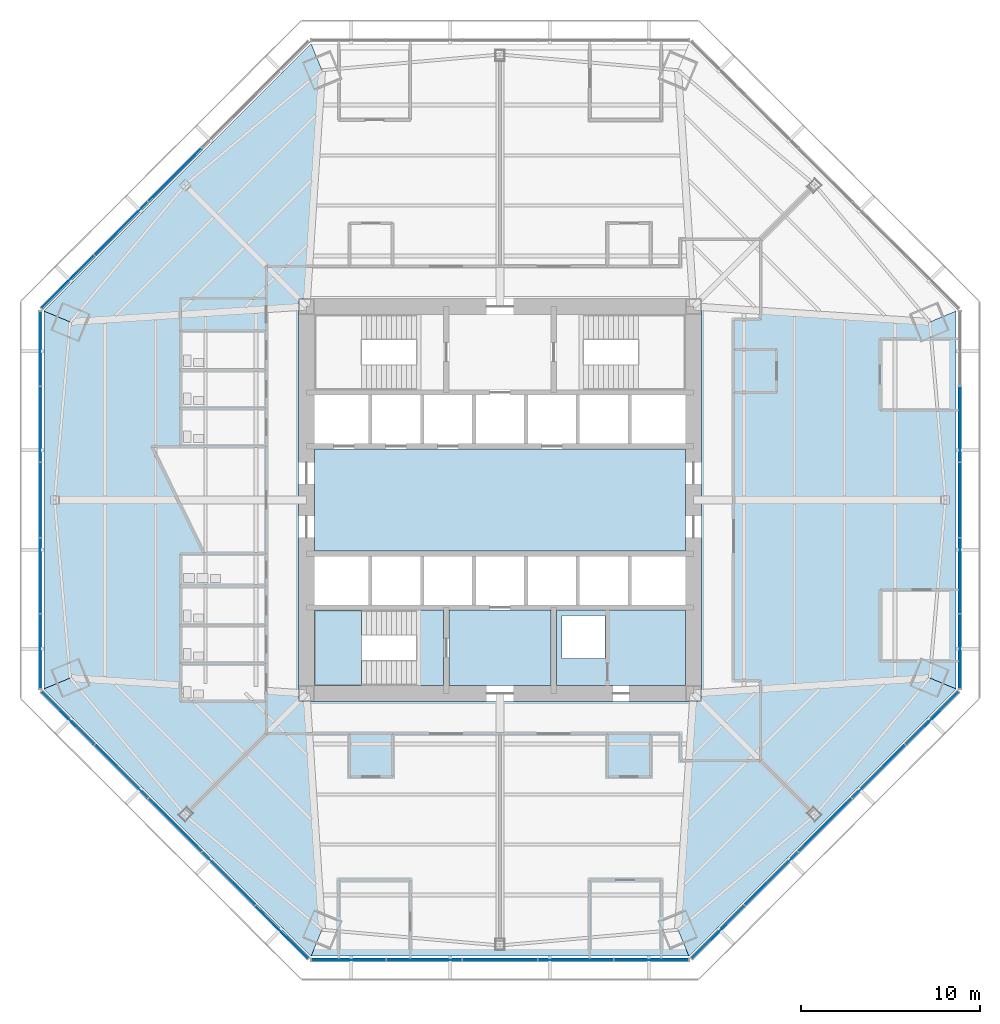
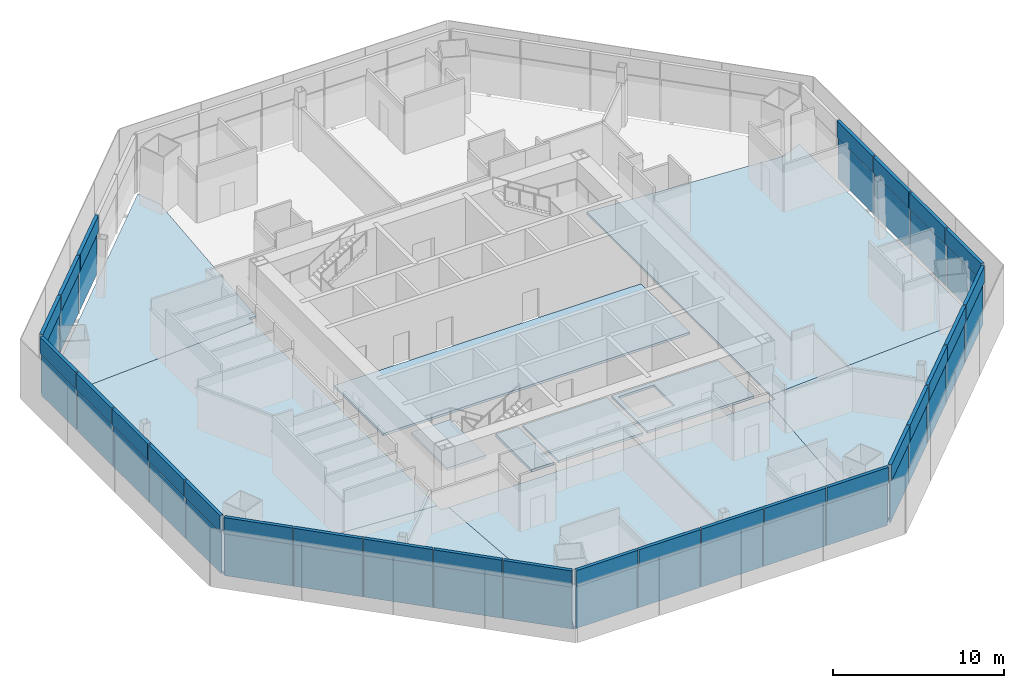
# One storey, part 9 of 18: 54 plates, 11 slabs, 7 elements without a shape of their own.
"""IFC4 building model written with IfcOpenShell, lengths in metres."""

from ifc_helpers import new_model, si_unit, direction, frame, origin, origin_2d, place, context, subcontext, project, spatial, polyline, rectangle, outline, extrude, source, transform, mapped, material, layer, layer_set, type_object, type_shapes, element, aggregate, save


model = new_model("IFC4")

# Units and contexts
model_context = context("Model", 3, precision=1e-05, world=origin(), true_north=direction((0.0, 1.0)))
body_context = subcontext(model_context, "Body", "Model", "MODEL_VIEW")
ifc_project = project(units=[si_unit("LENGTHUNIT", "METRE"), si_unit("AREAUNIT", "SQUARE_METRE"), si_unit("VOLUMEUNIT", "CUBIC_METRE"), si_unit("PLANEANGLEUNIT", "RADIAN"), si_unit("MASSUNIT", "GRAM", prefix="KILO")], contexts=[model_context])

# Site, building, storey
site_placement = place(None, origin())
site = spatial("IfcSite", under=ifc_project, at=site_placement, CompositionType="ELEMENT")
building_placement = place(site_placement, origin())
building = spatial("IfcBuilding", under=site, at=building_placement, Name="Mashrafa Tower", CompositionType="ELEMENT")
storey_placement = place(building_placement, frame((0.0, 0.0, 83.39990234375)))
storey = spatial("IfcBuildingStorey", under=building, at=storey_placement, Name="L18", CompositionType="ELEMENT", Elevation=83.39990234375)

# Slabs
ifc_material_1 = material(Name="Concrete C35/45", Category="concrete")
ifc_layer_1 = layer(ifc_material_1, 0.1650390625)
ifc_layer_set_1 = layer_set([ifc_layer_1], Name="Floor slab 165")
slab_type_1 = type_object("IfcSlabType", Name="Floor slab 165", PredefinedType="FLOOR", material=ifc_layer_set_1)
slab_1_placement = place(storey_placement, frame((0.0, 0.0, -0.164794921875)))
element("IfcSlab", 1, at=slab_1_placement, inside=storey, type_object=slab_type_1, Name="Floor slab L18 east bay", PredefinedType="FLOOR", context=body_context, shape_type="SweptSolid", body=[
    extrude(outline(polyline([(25.45556640625, -10.5439453125), (23.98193359375, -9.93359375), (11.25, -10.7705078125), (11.25, 10.7705078125), (23.98193359375, 9.93359375), (25.45556640625, 10.5439453125), (25.45556640625, -10.5439453125)])), origin(), (0.0, 0.0, 1.0), 0.164794921875),
])
slab_2_placement = place(storey_placement, frame((0.0, 0.0, -0.164794921875)))
element("IfcSlab", 2, at=slab_2_placement, inside=storey, type_object=slab_type_1, Name="Floor slab L18 north-west bay", PredefinedType="FLOOR", context=body_context, shape_type="SweptSolid", body=[
    extrude(outline(polyline([(-25.45556640625, 10.5439453125), (-10.5439453125, 25.45556640625), (-10.5439453125, 25.45556640625), (-9.93359375, 23.98193359375), (-10.7705078125, 11.25), (-11.25, 11.25), (-11.25, 10.7705078125), (-23.98193359375, 9.93359375), (-25.45556640625, 10.5439453125), (-25.45556640625, 10.5439453125)])), origin(), (0.0, 0.0, 1.0), 0.164794921875),
])
slab_3_placement = place(storey_placement, frame((0.0, 0.0, -0.164794921875)))
element("IfcSlab", 3, at=slab_3_placement, inside=storey, type_object=slab_type_1, Name="Floor slab L18 west bay", PredefinedType="FLOOR", context=body_context, shape_type="SweptSolid", body=[
    extrude(outline(polyline([(-25.45556640625, 10.5439453125), (-23.98193359375, 9.93359375), (-11.25, 10.7705078125), (-11.25, -10.7705078125), (-23.98193359375, -9.93359375), (-25.45556640625, -10.5439453125), (-25.45556640625, 10.5439453125)])), origin(), (0.0, 0.0, 1.0), 0.164794921875),
])
slab_4_placement = place(storey_placement, frame((0.0, 0.0, -0.164794921875)))
element("IfcSlab", 4, at=slab_4_placement, inside=storey, type_object=slab_type_1, Name="Floor slab L18 south-west bay", PredefinedType="FLOOR", context=body_context, shape_type="SweptSolid", body=[
    extrude(outline(polyline([(-10.5439453125, -25.45556640625), (-25.45556640625, -10.5439453125), (-25.45556640625, -10.5439453125), (-23.98193359375, -9.93359375), (-11.25, -10.7705078125), (-11.25, -11.25), (-10.7705078125, -11.25), (-9.93359375, -23.98193359375), (-10.5439453125, -25.45556640625), (-10.5439453125, -25.45556640625)])), origin(), (0.0, 0.0, 1.0), 0.164794921875),
])
slab_5_placement = place(storey_placement, frame((0.0, 0.0, -0.164794921875)))
element("IfcSlab", 5, at=slab_5_placement, inside=storey, type_object=slab_type_1, Name="Floor slab L18 south bay", PredefinedType="FLOOR", context=body_context, shape_type="SweptSolid", body=[
    extrude(outline(polyline([(-10.5439453125, -25.45556640625), (-9.93359375, -23.98193359375), (-10.7705078125, -11.25), (10.7705078125, -11.25), (9.93359375, -23.98193359375), (10.5439453125, -25.45556640625), (-10.5439453125, -25.45556640625)])), origin(), (0.0, 0.0, 1.0), 0.164794921875),
])
slab_6_placement = place(storey_placement, frame((0.0, 0.0, -0.164794921875)))
element("IfcSlab", 6, at=slab_6_placement, inside=storey, type_object=slab_type_1, Name="Floor slab L18 south-east bay", PredefinedType="FLOOR", context=body_context, shape_type="SweptSolid", body=[
    extrude(outline(polyline([(10.5439453125, -25.45556640625), (9.93359375, -23.98193359375), (10.7705078125, -11.25), (11.25, -11.25), (11.25, -10.7705078125), (23.98193359375, -9.93359375), (25.45556640625, -10.5439453125), (25.45556640625, -10.5439453125), (10.5439453125, -25.45556640625), (10.5439453125, -25.45556640625)])), origin(), (0.0, 0.0, 1.0), 0.164794921875),
])
slab_7_placement = place(storey_placement, frame((0.0, 0.0, -0.164794921875)))
element("IfcSlab", 7, at=slab_7_placement, inside=storey, type_object=slab_type_1, Name="Core floor lift hall L18", PredefinedType="FLOOR", context=body_context, shape_type="SweptSolid", body=[
    extrude(outline(polyline([(-10.35009765625, 2.85009765625), (10.35009765625, 2.85009765625), (10.35009765625, -2.85009765625), (-10.35009765625, -2.85009765625), (-10.35009765625, 2.85009765625)])), origin(), (0.0, 0.0, 1.0), 0.164794921875),
])
slab_8_placement = place(storey_placement, frame((0.0, 0.0, -0.164794921875)))
element("IfcSlab", 8, at=slab_8_placement, inside=storey, type_object=slab_type_1, Name="Core floor riser and electrical band L18", PredefinedType="FLOOR", context=body_context, shape_type="SweptSolid", body=[
    extrude(outline(polyline([(10.35009765625, -6.14990234375), (10.35009765625, -10.35009765625), (3.14990234375, -10.35009765625), (3.14990234375, -6.14990234375), (10.35009765625, -6.14990234375)]), holes=[polyline([(3.449951171875, -8.85009765625), (5.85009765625, -8.85009765625), (5.85009765625, -6.449951171875), (3.449951171875, -6.449951171875), (3.449951171875, -8.85009765625)])]), origin(), (0.0, 0.0, 1.0), 0.164794921875),
])
slab_9_placement = place(storey_placement, frame((0.0, 0.0, -0.164794921875)))
element("IfcSlab", 9, at=slab_9_placement, inside=storey, type_object=slab_type_1, Name="Core floor fire-fighting lobby south L18", PredefinedType="FLOOR", context=body_context, shape_type="SweptSolid", body=[
    extrude(outline(polyline([(2.85009765625, -6.14990234375), (2.85009765625, -10.35009765625), (-2.85009765625, -10.35009765625), (-2.85009765625, -6.14990234375), (2.85009765625, -6.14990234375)])), origin(), (0.0, 0.0, 1.0), 0.164794921875),
])

# Stair, slabs
ifc_material_2 = material(Name="Exit stair 1400")
stair_type = type_object("IfcStairType", Name="Exit stair 1400", PredefinedType="HALF_TURN_STAIR", material=ifc_material_2)
stair_placement = place(storey_placement, origin())
stair = element("IfcStair", 10, at=stair_placement, inside=storey, type_object=stair_type, Name="Stair S3 L18", PredefinedType="HALF_TURN_STAIR")
ifc_material_3 = material(Name="Concrete C32/40", Category="concrete")
ifc_layer_2 = layer(ifc_material_3, 0.199951171875)
ifc_layer_set_2 = layer_set([ifc_layer_2], Name="Stair landing 200")
slab_type_2 = type_object("IfcSlabType", Name="Stair landing 200", PredefinedType="LANDING", material=ifc_layer_set_2)
slab_10_placement = place(storey_placement, frame((0.0, 0.0, -0.199951171875)))
slab_10 = element("IfcSlab", 11, at=slab_10_placement, type_object=slab_type_2, Name="S3 landing 1", PredefinedType="LANDING", context=body_context, shape_type="SweptSolid", body=[
    extrude(outline(polyline([(-4.659912109375, -10.35009765625), (-3.14990234375, -10.35009765625), (-3.14990234375, -6.14990234375), (-4.659912109375, -6.14990234375), (-4.659912109375, -10.35009765625)])), origin(), (0.0, 0.0, 1.0), 0.199951171875),
])
slab_11_placement = place(storey_placement, frame((0.0, 0.0, 1.900146484375)))
slab_11 = element("IfcSlab", 12, at=slab_11_placement, type_object=slab_type_2, Name="S3 landing 2", PredefinedType="LANDING", context=body_context, shape_type="SweptSolid", body=[
    extrude(outline(polyline([(-10.35009765625, -10.35009765625), (-7.719970703125, -10.35009765625), (-7.719970703125, -6.14990234375), (-10.35009765625, -6.14990234375), (-10.35009765625, -10.35009765625)])), origin(), (0.0, 0.0, 1.0), 0.199951171875),
])
aggregate(stair, [slab_10, slab_11])

# Curtain wall, plate
ifc_material_4 = material(Name="Unitised aluminium curtain wall", Category="aluminium")
curtain_wall_type = type_object("IfcCurtainWallType", Name="Office curtain wall, zone 1 CW-A 200 deep", PredefinedType="NOTDEFINED", material=ifc_material_4)
curtain_wall_1_placement = place(storey_placement, origin())
curtain_wall_1 = element("IfcCurtainWall", 13, at=curtain_wall_1_placement, inside=storey, type_object=curtain_wall_type, Name="Office curtain wall, zone 1 L18 east", PredefinedType="NOTDEFINED")
ifc_material_5 = material(Name="Insulated double glazing, low-e, neutral", Category="glass")
ifc_layer_3 = layer(ifc_material_5, 0.028076171875)
ifc_layer_set_3 = layer_set([ifc_layer_3], Name="Vision panel CW-A 28")
plate_type_1 = type_object("IfcPlateType", Name="Vision panel CW-A 28", PredefinedType="CURTAIN_PANEL", material=ifc_layer_set_3)
shared_shape_1 = source(origin(), body_context, "Body", "SweptSolid", [
    extrude(rectangle(XDim=4.132568359375, YDim=0.028076171875, at=origin_2d()), origin(), (0.0, 0.0, 1.0), 2.9599609375),
])
plate_1_placement = place(storey_placement, frame((25.655517578125, -8.444091796875, 0.0), z_axis=(0.0, 0.0, 1.0), x_axis=(0.0, 1.0, 0.0)))
plate_1 = element("IfcPlate", 14, at=plate_1_placement, type_object=plate_type_1, Name="CW-A vision panel 1", PredefinedType="CURTAIN_PANEL", context=body_context, shape_type="MappedRepresentation", body=[
    mapped(shared_shape_1, transform((0.0, 0.0, 0.0))),
])

curtain_wall_2_placement = place(storey_placement, origin())
curtain_wall_2 = element("IfcCurtainWall", 15, at=curtain_wall_2_placement, inside=storey, type_object=curtain_wall_type, Name="Office curtain wall, zone 1 L18 north-west", PredefinedType="NOTDEFINED")
plate_2_placement = place(storey_placement, frame((-24.112060546875, 12.170166015625, 0.0), z_axis=(0.0, 0.0, 1.0), x_axis=(-0.707106781187, -0.707106781187, 0.0)))
plate_2 = element("IfcPlate", 16, at=plate_2_placement, type_object=plate_type_1, Name="CW-A vision panel 5", PredefinedType="CURTAIN_PANEL", context=body_context, shape_type="MappedRepresentation", body=[
    mapped(shared_shape_1, transform((0.0, 0.0, 0.0))),
])

# Curtain wall, plates
curtain_wall_3_placement = place(storey_placement, origin())
curtain_wall_3 = element("IfcCurtainWall", 17, at=curtain_wall_3_placement, inside=storey, type_object=curtain_wall_type, Name="Office curtain wall, zone 1 L18 west", PredefinedType="NOTDEFINED")
plate_3_placement = place(storey_placement, frame((-25.655517578125, 8.444091796875, 0.0), z_axis=(0.0, 0.0, 1.0), x_axis=(0.0, -1.0, 0.0)))
plate_3 = element("IfcPlate", 18, at=plate_3_placement, type_object=plate_type_1, Name="CW-A vision panel 1", PredefinedType="CURTAIN_PANEL", context=body_context, shape_type="MappedRepresentation", body=[
    mapped(shared_shape_1, transform((0.0, 0.0, 0.0))),
])
plate_4_placement = place(storey_placement, frame((-25.655517578125, -8.444091796875, 0.0), z_axis=(0.0, 0.0, 1.0), x_axis=(0.0, -1.0, 0.0)))
plate_4 = element("IfcPlate", 19, at=plate_4_placement, type_object=plate_type_1, Name="CW-A vision panel 5", PredefinedType="CURTAIN_PANEL", context=body_context, shape_type="MappedRepresentation", body=[
    mapped(shared_shape_1, transform((0.0, 0.0, 0.0))),
])

curtain_wall_4_placement = place(storey_placement, origin())
curtain_wall_4 = element("IfcCurtainWall", 20, at=curtain_wall_4_placement, inside=storey, type_object=curtain_wall_type, Name="Office curtain wall, zone 1 L18 south-west", PredefinedType="NOTDEFINED")
plate_5_placement = place(storey_placement, frame((-24.112060546875, -12.170166015625, 0.0), z_axis=(0.0, 0.0, 1.0), x_axis=(0.707106781187, -0.707106781187, 0.0)))
plate_5 = element("IfcPlate", 21, at=plate_5_placement, type_object=plate_type_1, Name="CW-A vision panel 1", PredefinedType="CURTAIN_PANEL", context=body_context, shape_type="MappedRepresentation", body=[
    mapped(shared_shape_1, transform((0.0, 0.0, 0.0))),
])
plate_6_placement = place(storey_placement, frame((-12.170166015625, -24.112060546875, 0.0), z_axis=(0.0, 0.0, 1.0), x_axis=(0.707106781187, -0.707106781187, 0.0)))
plate_6 = element("IfcPlate", 22, at=plate_6_placement, type_object=plate_type_1, Name="CW-A vision panel 5", PredefinedType="CURTAIN_PANEL", context=body_context, shape_type="MappedRepresentation", body=[
    mapped(shared_shape_1, transform((0.0, 0.0, 0.0))),
])

curtain_wall_5_placement = place(storey_placement, origin())
curtain_wall_5 = element("IfcCurtainWall", 23, at=curtain_wall_5_placement, inside=storey, type_object=curtain_wall_type, Name="Office curtain wall, zone 1 L18 south", PredefinedType="NOTDEFINED")
plate_7_placement = place(storey_placement, frame((-8.444091796875, -25.655517578125, 0.0), z_axis=(0.0, 0.0, 1.0), x_axis=(1.0, 0.0, 0.0)))
plate_7 = element("IfcPlate", 24, at=plate_7_placement, type_object=plate_type_1, Name="CW-A vision panel 1", PredefinedType="CURTAIN_PANEL", context=body_context, shape_type="MappedRepresentation", body=[
    mapped(shared_shape_1, transform((0.0, 0.0, 0.0))),
])
plate_8_placement = place(storey_placement, frame((8.444091796875, -25.655517578125, 0.0), z_axis=(0.0, 0.0, 1.0), x_axis=(1.0, 0.0, 0.0)))
plate_8 = element("IfcPlate", 25, at=plate_8_placement, type_object=plate_type_1, Name="CW-A vision panel 5", PredefinedType="CURTAIN_PANEL", context=body_context, shape_type="MappedRepresentation", body=[
    mapped(shared_shape_1, transform((0.0, 0.0, 0.0))),
])

curtain_wall_6_placement = place(storey_placement, origin())
curtain_wall_6 = element("IfcCurtainWall", 26, at=curtain_wall_6_placement, inside=storey, type_object=curtain_wall_type, Name="Office curtain wall, zone 1 L18 south-east", PredefinedType="NOTDEFINED")
plate_9_placement = place(storey_placement, frame((12.170166015625, -24.112060546875, 0.0), z_axis=(0.0, 0.0, 1.0), x_axis=(0.707106781187, 0.707106781187, 0.0)))
plate_9 = element("IfcPlate", 27, at=plate_9_placement, type_object=plate_type_1, Name="CW-A vision panel 1", PredefinedType="CURTAIN_PANEL", context=body_context, shape_type="MappedRepresentation", body=[
    mapped(shared_shape_1, transform((0.0, 0.0, 0.0))),
])
plate_10_placement = place(storey_placement, frame((24.112060546875, -12.170166015625, 0.0), z_axis=(0.0, 0.0, 1.0), x_axis=(0.707106781187, 0.707106781187, 0.0)))
plate_10 = element("IfcPlate", 28, at=plate_10_placement, type_object=plate_type_1, Name="CW-A vision panel 5", PredefinedType="CURTAIN_PANEL", context=body_context, shape_type="MappedRepresentation", body=[
    mapped(shared_shape_1, transform((0.0, 0.0, 0.0))),
])

# Plate
ifc_material_6 = material(Name="Insulated aluminium spandrel panel", Category="aluminium")
ifc_layer_4 = layer(ifc_material_6, 0.219970703125)
ifc_layer_set_4 = layer_set([ifc_layer_4], Name="Spandrel panel CW-A 220")
plate_type_2 = type_object("IfcPlateType", Name="Spandrel panel CW-A 220", PredefinedType="CURTAIN_PANEL", material=ifc_layer_set_4)
shared_shape_2 = source(origin(), body_context, "Body", "SweptSolid", [
    extrude(rectangle(XDim=4.132568359375, YDim=0.219970703125, at=origin_2d()), origin(), (0.0, 0.0, 1.0), 1.159912109375),
])
plate_11_placement = place(storey_placement, frame((25.655517578125, -8.444091796875, 3.0400390625), z_axis=(0.0, 0.0, 1.0), x_axis=(0.0, 1.0, 0.0)))
plate_11 = element("IfcPlate", 29, at=plate_11_placement, type_object=plate_type_2, Name="CW-A spandrel panel 1", PredefinedType="CURTAIN_PANEL", context=body_context, shape_type="MappedRepresentation", body=[
    mapped(shared_shape_2, transform((0.0, 0.0, 0.0))),
])

plate_12_placement = place(storey_placement, frame((-24.112060546875, 12.170166015625, 3.0400390625), z_axis=(0.0, 0.0, 1.0), x_axis=(-0.707106781187, -0.707106781187, 0.0)))
plate_12 = element("IfcPlate", 30, at=plate_12_placement, type_object=plate_type_2, Name="CW-A spandrel panel 5", PredefinedType="CURTAIN_PANEL", context=body_context, shape_type="MappedRepresentation", body=[
    mapped(shared_shape_2, transform((0.0, 0.0, 0.0))),
])

plate_13_placement = place(storey_placement, frame((-25.655517578125, 8.444091796875, 3.0400390625), z_axis=(0.0, 0.0, 1.0), x_axis=(0.0, -1.0, 0.0)))
plate_13 = element("IfcPlate", 31, at=plate_13_placement, type_object=plate_type_2, Name="CW-A spandrel panel 1", PredefinedType="CURTAIN_PANEL", context=body_context, shape_type="MappedRepresentation", body=[
    mapped(shared_shape_2, transform((0.0, 0.0, 0.0))),
])

plate_14_placement = place(storey_placement, frame((-25.655517578125, -8.444091796875, 3.0400390625), z_axis=(0.0, 0.0, 1.0), x_axis=(0.0, -1.0, 0.0)))
plate_14 = element("IfcPlate", 32, at=plate_14_placement, type_object=plate_type_2, Name="CW-A spandrel panel 5", PredefinedType="CURTAIN_PANEL", context=body_context, shape_type="MappedRepresentation", body=[
    mapped(shared_shape_2, transform((0.0, 0.0, 0.0))),
])

plate_15_placement = place(storey_placement, frame((-24.112060546875, -12.170166015625, 3.0400390625), z_axis=(0.0, 0.0, 1.0), x_axis=(0.707106781187, -0.707106781187, 0.0)))
plate_15 = element("IfcPlate", 33, at=plate_15_placement, type_object=plate_type_2, Name="CW-A spandrel panel 1", PredefinedType="CURTAIN_PANEL", context=body_context, shape_type="MappedRepresentation", body=[
    mapped(shared_shape_2, transform((0.0, 0.0, 0.0))),
])

plate_16_placement = place(storey_placement, frame((-12.170166015625, -24.112060546875, 3.0400390625), z_axis=(0.0, 0.0, 1.0), x_axis=(0.707106781187, -0.707106781187, 0.0)))
plate_16 = element("IfcPlate", 34, at=plate_16_placement, type_object=plate_type_2, Name="CW-A spandrel panel 5", PredefinedType="CURTAIN_PANEL", context=body_context, shape_type="MappedRepresentation", body=[
    mapped(shared_shape_2, transform((0.0, 0.0, 0.0))),
])

plate_17_placement = place(storey_placement, frame((-8.444091796875, -25.655517578125, 3.0400390625), z_axis=(0.0, 0.0, 1.0), x_axis=(1.0, 0.0, 0.0)))
plate_17 = element("IfcPlate", 35, at=plate_17_placement, type_object=plate_type_2, Name="CW-A spandrel panel 1", PredefinedType="CURTAIN_PANEL", context=body_context, shape_type="MappedRepresentation", body=[
    mapped(shared_shape_2, transform((0.0, 0.0, 0.0))),
])

plate_18_placement = place(storey_placement, frame((8.444091796875, -25.655517578125, 3.0400390625), z_axis=(0.0, 0.0, 1.0), x_axis=(1.0, 0.0, 0.0)))
plate_18 = element("IfcPlate", 36, at=plate_18_placement, type_object=plate_type_2, Name="CW-A spandrel panel 5", PredefinedType="CURTAIN_PANEL", context=body_context, shape_type="MappedRepresentation", body=[
    mapped(shared_shape_2, transform((0.0, 0.0, 0.0))),
])

plate_19_placement = place(storey_placement, frame((12.170166015625, -24.112060546875, 3.0400390625), z_axis=(0.0, 0.0, 1.0), x_axis=(0.707106781187, 0.707106781187, 0.0)))
plate_19 = element("IfcPlate", 37, at=plate_19_placement, type_object=plate_type_2, Name="CW-A spandrel panel 1", PredefinedType="CURTAIN_PANEL", context=body_context, shape_type="MappedRepresentation", body=[
    mapped(shared_shape_2, transform((0.0, 0.0, 0.0))),
])

plate_20_placement = place(storey_placement, frame((24.112060546875, -12.170166015625, 3.0400390625), z_axis=(0.0, 0.0, 1.0), x_axis=(0.707106781187, 0.707106781187, 0.0)))
plate_20 = element("IfcPlate", 38, at=plate_20_placement, type_object=plate_type_2, Name="CW-A spandrel panel 5", PredefinedType="CURTAIN_PANEL", context=body_context, shape_type="MappedRepresentation", body=[
    mapped(shared_shape_2, transform((0.0, 0.0, 0.0))),
])

shared_shape_3 = source(origin(), body_context, "Body", "SweptSolid", [
    extrude(rectangle(XDim=4.165283203125, YDim=0.028076171875, at=origin_2d()), origin(), (0.0, 0.0, 1.0), 2.9599609375),
])
type_shapes(plate_type_1, [shared_shape_1, shared_shape_3])
plate_21_placement = place(storey_placement, frame((25.655517578125, -4.230224609375, 0.0), z_axis=(0.0, 0.0, 1.0), x_axis=(0.0, 1.0, 0.0)))
plate_21 = element("IfcPlate", 39, at=plate_21_placement, type_object=plate_type_1, Name="CW-A vision panel 2", PredefinedType="CURTAIN_PANEL", context=body_context, shape_type="MappedRepresentation", body=[
    mapped(shared_shape_3, transform((0.0, 0.0, 0.0))),
])

plate_22_placement = place(storey_placement, frame((25.655517578125, 0.0, 0.0), z_axis=(0.0, 0.0, 1.0), x_axis=(0.0, 1.0, 0.0)))
plate_22 = element("IfcPlate", 40, at=plate_22_placement, type_object=plate_type_1, Name="CW-A vision panel 3", PredefinedType="CURTAIN_PANEL", context=body_context, shape_type="MappedRepresentation", body=[
    mapped(shared_shape_3, transform((0.0, 0.0, 0.0))),
])

plate_23_placement = place(storey_placement, frame((25.655517578125, 4.230224609375, 0.0), z_axis=(0.0, 0.0, 1.0), x_axis=(0.0, 1.0, 0.0)))
plate_23 = element("IfcPlate", 41, at=plate_23_placement, type_object=plate_type_1, Name="CW-A vision panel 4", PredefinedType="CURTAIN_PANEL", context=body_context, shape_type="MappedRepresentation", body=[
    mapped(shared_shape_3, transform((0.0, 0.0, 0.0))),
])

plate_24_placement = place(storey_placement, frame((-18.14111328125, 18.14111328125, 0.0), z_axis=(0.0, 0.0, 1.0), x_axis=(-0.707106781187, -0.707106781187, 0.0)))
plate_24 = element("IfcPlate", 42, at=plate_24_placement, type_object=plate_type_1, Name="CW-A vision panel 3", PredefinedType="CURTAIN_PANEL", context=body_context, shape_type="MappedRepresentation", body=[
    mapped(shared_shape_3, transform((0.0, 0.0, 0.0))),
])

plate_25_placement = place(storey_placement, frame((-21.13232421875, 15.14990234375, 0.0), z_axis=(0.0, 0.0, 1.0), x_axis=(-0.707106781187, -0.707106781187, 0.0)))
plate_25 = element("IfcPlate", 43, at=plate_25_placement, type_object=plate_type_1, Name="CW-A vision panel 4", PredefinedType="CURTAIN_PANEL", context=body_context, shape_type="MappedRepresentation", body=[
    mapped(shared_shape_3, transform((0.0, 0.0, 0.0))),
])

plate_26_placement = place(storey_placement, frame((-25.655517578125, 4.230224609375, 0.0), z_axis=(0.0, 0.0, 1.0), x_axis=(0.0, -1.0, 0.0)))
plate_26 = element("IfcPlate", 44, at=plate_26_placement, type_object=plate_type_1, Name="CW-A vision panel 2", PredefinedType="CURTAIN_PANEL", context=body_context, shape_type="MappedRepresentation", body=[
    mapped(shared_shape_3, transform((0.0, 0.0, 0.0))),
])

plate_27_placement = place(storey_placement, frame((-25.655517578125, 0.0, 0.0), z_axis=(0.0, 0.0, 1.0), x_axis=(0.0, -1.0, 0.0)))
plate_27 = element("IfcPlate", 45, at=plate_27_placement, type_object=plate_type_1, Name="CW-A vision panel 3", PredefinedType="CURTAIN_PANEL", context=body_context, shape_type="MappedRepresentation", body=[
    mapped(shared_shape_3, transform((0.0, 0.0, 0.0))),
])

plate_28_placement = place(storey_placement, frame((-25.655517578125, -4.230224609375, 0.0), z_axis=(0.0, 0.0, 1.0), x_axis=(0.0, -1.0, 0.0)))
plate_28 = element("IfcPlate", 46, at=plate_28_placement, type_object=plate_type_1, Name="CW-A vision panel 4", PredefinedType="CURTAIN_PANEL", context=body_context, shape_type="MappedRepresentation", body=[
    mapped(shared_shape_3, transform((0.0, 0.0, 0.0))),
])

plate_29_placement = place(storey_placement, frame((-21.13232421875, -15.14990234375, 0.0), z_axis=(0.0, 0.0, 1.0), x_axis=(0.707106781187, -0.707106781187, 0.0)))
plate_29 = element("IfcPlate", 47, at=plate_29_placement, type_object=plate_type_1, Name="CW-A vision panel 2", PredefinedType="CURTAIN_PANEL", context=body_context, shape_type="MappedRepresentation", body=[
    mapped(shared_shape_3, transform((0.0, 0.0, 0.0))),
])

plate_30_placement = place(storey_placement, frame((-18.14111328125, -18.14111328125, 0.0), z_axis=(0.0, 0.0, 1.0), x_axis=(0.707106781187, -0.707106781187, 0.0)))
plate_30 = element("IfcPlate", 48, at=plate_30_placement, type_object=plate_type_1, Name="CW-A vision panel 3", PredefinedType="CURTAIN_PANEL", context=body_context, shape_type="MappedRepresentation", body=[
    mapped(shared_shape_3, transform((0.0, 0.0, 0.0))),
])

plate_31_placement = place(storey_placement, frame((-15.14990234375, -21.13232421875, 0.0), z_axis=(0.0, 0.0, 1.0), x_axis=(0.707106781187, -0.707106781187, 0.0)))
plate_31 = element("IfcPlate", 49, at=plate_31_placement, type_object=plate_type_1, Name="CW-A vision panel 4", PredefinedType="CURTAIN_PANEL", context=body_context, shape_type="MappedRepresentation", body=[
    mapped(shared_shape_3, transform((0.0, 0.0, 0.0))),
])

plate_32_placement = place(storey_placement, frame((-4.230224609375, -25.655517578125, 0.0), z_axis=(0.0, 0.0, 1.0), x_axis=(1.0, 0.0, 0.0)))
plate_32 = element("IfcPlate", 50, at=plate_32_placement, type_object=plate_type_1, Name="CW-A vision panel 2", PredefinedType="CURTAIN_PANEL", context=body_context, shape_type="MappedRepresentation", body=[
    mapped(shared_shape_3, transform((0.0, 0.0, 0.0))),
])

plate_33_placement = place(storey_placement, frame((0.0, -25.655517578125, 0.0), z_axis=(0.0, 0.0, 1.0), x_axis=(1.0, 0.0, 0.0)))
plate_33 = element("IfcPlate", 51, at=plate_33_placement, type_object=plate_type_1, Name="CW-A vision panel 3", PredefinedType="CURTAIN_PANEL", context=body_context, shape_type="MappedRepresentation", body=[
    mapped(shared_shape_3, transform((0.0, 0.0, 0.0))),
])

plate_34_placement = place(storey_placement, frame((4.230224609375, -25.655517578125, 0.0), z_axis=(0.0, 0.0, 1.0), x_axis=(1.0, 0.0, 0.0)))
plate_34 = element("IfcPlate", 52, at=plate_34_placement, type_object=plate_type_1, Name="CW-A vision panel 4", PredefinedType="CURTAIN_PANEL", context=body_context, shape_type="MappedRepresentation", body=[
    mapped(shared_shape_3, transform((0.0, 0.0, 0.0))),
])

plate_35_placement = place(storey_placement, frame((15.14990234375, -21.13232421875, 0.0), z_axis=(0.0, 0.0, 1.0), x_axis=(0.707106781187, 0.707106781187, 0.0)))
plate_35 = element("IfcPlate", 53, at=plate_35_placement, type_object=plate_type_1, Name="CW-A vision panel 2", PredefinedType="CURTAIN_PANEL", context=body_context, shape_type="MappedRepresentation", body=[
    mapped(shared_shape_3, transform((0.0, 0.0, 0.0))),
])

plate_36_placement = place(storey_placement, frame((18.14111328125, -18.14111328125, 0.0), z_axis=(0.0, 0.0, 1.0), x_axis=(0.707106781187, 0.707106781187, 0.0)))
plate_36 = element("IfcPlate", 54, at=plate_36_placement, type_object=plate_type_1, Name="CW-A vision panel 3", PredefinedType="CURTAIN_PANEL", context=body_context, shape_type="MappedRepresentation", body=[
    mapped(shared_shape_3, transform((0.0, 0.0, 0.0))),
])

plate_37_placement = place(storey_placement, frame((21.13232421875, -15.14990234375, 0.0), z_axis=(0.0, 0.0, 1.0), x_axis=(0.707106781187, 0.707106781187, 0.0)))
plate_37 = element("IfcPlate", 55, at=plate_37_placement, type_object=plate_type_1, Name="CW-A vision panel 4", PredefinedType="CURTAIN_PANEL", context=body_context, shape_type="MappedRepresentation", body=[
    mapped(shared_shape_3, transform((0.0, 0.0, 0.0))),
])

shared_shape_4 = source(origin(), body_context, "Body", "SweptSolid", [
    extrude(rectangle(XDim=4.165283203125, YDim=0.219970703125, at=origin_2d()), origin(), (0.0, 0.0, 1.0), 1.159912109375),
])
type_shapes(plate_type_2, [shared_shape_2, shared_shape_4])
plate_38_placement = place(storey_placement, frame((25.655517578125, -4.230224609375, 3.0400390625), z_axis=(0.0, 0.0, 1.0), x_axis=(0.0, 1.0, 0.0)))
plate_38 = element("IfcPlate", 56, at=plate_38_placement, type_object=plate_type_2, Name="CW-A spandrel panel 2", PredefinedType="CURTAIN_PANEL", context=body_context, shape_type="MappedRepresentation", body=[
    mapped(shared_shape_4, transform((0.0, 0.0, 0.0))),
])

plate_39_placement = place(storey_placement, frame((25.655517578125, 0.0, 3.0400390625), z_axis=(0.0, 0.0, 1.0), x_axis=(0.0, 1.0, 0.0)))
plate_39 = element("IfcPlate", 57, at=plate_39_placement, type_object=plate_type_2, Name="CW-A spandrel panel 3", PredefinedType="CURTAIN_PANEL", context=body_context, shape_type="MappedRepresentation", body=[
    mapped(shared_shape_4, transform((0.0, 0.0, 0.0))),
])

plate_40_placement = place(storey_placement, frame((25.655517578125, 4.230224609375, 3.0400390625), z_axis=(0.0, 0.0, 1.0), x_axis=(0.0, 1.0, 0.0)))
plate_40 = element("IfcPlate", 58, at=plate_40_placement, type_object=plate_type_2, Name="CW-A spandrel panel 4", PredefinedType="CURTAIN_PANEL", context=body_context, shape_type="MappedRepresentation", body=[
    mapped(shared_shape_4, transform((0.0, 0.0, 0.0))),
])

aggregate(curtain_wall_1, [plate_1, plate_11, plate_21, plate_38, plate_22, plate_39, plate_23, plate_40])

plate_41_placement = place(storey_placement, frame((-18.14111328125, 18.14111328125, 3.0400390625), z_axis=(0.0, 0.0, 1.0), x_axis=(-0.707106781187, -0.707106781187, 0.0)))
plate_41 = element("IfcPlate", 59, at=plate_41_placement, type_object=plate_type_2, Name="CW-A spandrel panel 3", PredefinedType="CURTAIN_PANEL", context=body_context, shape_type="MappedRepresentation", body=[
    mapped(shared_shape_4, transform((0.0, 0.0, 0.0))),
])

plate_42_placement = place(storey_placement, frame((-21.13232421875, 15.14990234375, 3.0400390625), z_axis=(0.0, 0.0, 1.0), x_axis=(-0.707106781187, -0.707106781187, 0.0)))
plate_42 = element("IfcPlate", 60, at=plate_42_placement, type_object=plate_type_2, Name="CW-A spandrel panel 4", PredefinedType="CURTAIN_PANEL", context=body_context, shape_type="MappedRepresentation", body=[
    mapped(shared_shape_4, transform((0.0, 0.0, 0.0))),
])

aggregate(curtain_wall_2, [plate_24, plate_41, plate_25, plate_42, plate_2, plate_12])

plate_43_placement = place(storey_placement, frame((-25.655517578125, 4.230224609375, 3.0400390625), z_axis=(0.0, 0.0, 1.0), x_axis=(0.0, -1.0, 0.0)))
plate_43 = element("IfcPlate", 61, at=plate_43_placement, type_object=plate_type_2, Name="CW-A spandrel panel 2", PredefinedType="CURTAIN_PANEL", context=body_context, shape_type="MappedRepresentation", body=[
    mapped(shared_shape_4, transform((0.0, 0.0, 0.0))),
])

plate_44_placement = place(storey_placement, frame((-25.655517578125, 0.0, 3.0400390625), z_axis=(0.0, 0.0, 1.0), x_axis=(0.0, -1.0, 0.0)))
plate_44 = element("IfcPlate", 62, at=plate_44_placement, type_object=plate_type_2, Name="CW-A spandrel panel 3", PredefinedType="CURTAIN_PANEL", context=body_context, shape_type="MappedRepresentation", body=[
    mapped(shared_shape_4, transform((0.0, 0.0, 0.0))),
])

plate_45_placement = place(storey_placement, frame((-25.655517578125, -4.230224609375, 3.0400390625), z_axis=(0.0, 0.0, 1.0), x_axis=(0.0, -1.0, 0.0)))
plate_45 = element("IfcPlate", 63, at=plate_45_placement, type_object=plate_type_2, Name="CW-A spandrel panel 4", PredefinedType="CURTAIN_PANEL", context=body_context, shape_type="MappedRepresentation", body=[
    mapped(shared_shape_4, transform((0.0, 0.0, 0.0))),
])

aggregate(curtain_wall_3, [plate_3, plate_13, plate_26, plate_43, plate_27, plate_44, plate_28, plate_45, plate_4, plate_14])

plate_46_placement = place(storey_placement, frame((-21.13232421875, -15.14990234375, 3.0400390625), z_axis=(0.0, 0.0, 1.0), x_axis=(0.707106781187, -0.707106781187, 0.0)))
plate_46 = element("IfcPlate", 64, at=plate_46_placement, type_object=plate_type_2, Name="CW-A spandrel panel 2", PredefinedType="CURTAIN_PANEL", context=body_context, shape_type="MappedRepresentation", body=[
    mapped(shared_shape_4, transform((0.0, 0.0, 0.0))),
])

plate_47_placement = place(storey_placement, frame((-18.14111328125, -18.14111328125, 3.0400390625), z_axis=(0.0, 0.0, 1.0), x_axis=(0.707106781187, -0.707106781187, 0.0)))
plate_47 = element("IfcPlate", 65, at=plate_47_placement, type_object=plate_type_2, Name="CW-A spandrel panel 3", PredefinedType="CURTAIN_PANEL", context=body_context, shape_type="MappedRepresentation", body=[
    mapped(shared_shape_4, transform((0.0, 0.0, 0.0))),
])

plate_48_placement = place(storey_placement, frame((-15.14990234375, -21.13232421875, 3.0400390625), z_axis=(0.0, 0.0, 1.0), x_axis=(0.707106781187, -0.707106781187, 0.0)))
plate_48 = element("IfcPlate", 66, at=plate_48_placement, type_object=plate_type_2, Name="CW-A spandrel panel 4", PredefinedType="CURTAIN_PANEL", context=body_context, shape_type="MappedRepresentation", body=[
    mapped(shared_shape_4, transform((0.0, 0.0, 0.0))),
])

aggregate(curtain_wall_4, [plate_5, plate_15, plate_29, plate_46, plate_30, plate_47, plate_31, plate_48, plate_6, plate_16])

plate_49_placement = place(storey_placement, frame((-4.230224609375, -25.655517578125, 3.0400390625), z_axis=(0.0, 0.0, 1.0), x_axis=(1.0, 0.0, 0.0)))
plate_49 = element("IfcPlate", 67, at=plate_49_placement, type_object=plate_type_2, Name="CW-A spandrel panel 2", PredefinedType="CURTAIN_PANEL", context=body_context, shape_type="MappedRepresentation", body=[
    mapped(shared_shape_4, transform((0.0, 0.0, 0.0))),
])

plate_50_placement = place(storey_placement, frame((0.0, -25.655517578125, 3.0400390625), z_axis=(0.0, 0.0, 1.0), x_axis=(1.0, 0.0, 0.0)))
plate_50 = element("IfcPlate", 68, at=plate_50_placement, type_object=plate_type_2, Name="CW-A spandrel panel 3", PredefinedType="CURTAIN_PANEL", context=body_context, shape_type="MappedRepresentation", body=[
    mapped(shared_shape_4, transform((0.0, 0.0, 0.0))),
])

plate_51_placement = place(storey_placement, frame((4.230224609375, -25.655517578125, 3.0400390625), z_axis=(0.0, 0.0, 1.0), x_axis=(1.0, 0.0, 0.0)))
plate_51 = element("IfcPlate", 69, at=plate_51_placement, type_object=plate_type_2, Name="CW-A spandrel panel 4", PredefinedType="CURTAIN_PANEL", context=body_context, shape_type="MappedRepresentation", body=[
    mapped(shared_shape_4, transform((0.0, 0.0, 0.0))),
])

aggregate(curtain_wall_5, [plate_7, plate_17, plate_32, plate_49, plate_33, plate_50, plate_34, plate_51, plate_8, plate_18])

plate_52_placement = place(storey_placement, frame((15.14990234375, -21.13232421875, 3.0400390625), z_axis=(0.0, 0.0, 1.0), x_axis=(0.707106781187, 0.707106781187, 0.0)))
plate_52 = element("IfcPlate", 70, at=plate_52_placement, type_object=plate_type_2, Name="CW-A spandrel panel 2", PredefinedType="CURTAIN_PANEL", context=body_context, shape_type="MappedRepresentation", body=[
    mapped(shared_shape_4, transform((0.0, 0.0, 0.0))),
])

plate_53_placement = place(storey_placement, frame((18.14111328125, -18.14111328125, 3.0400390625), z_axis=(0.0, 0.0, 1.0), x_axis=(0.707106781187, 0.707106781187, 0.0)))
plate_53 = element("IfcPlate", 71, at=plate_53_placement, type_object=plate_type_2, Name="CW-A spandrel panel 3", PredefinedType="CURTAIN_PANEL", context=body_context, shape_type="MappedRepresentation", body=[
    mapped(shared_shape_4, transform((0.0, 0.0, 0.0))),
])

plate_54_placement = place(storey_placement, frame((21.13232421875, -15.14990234375, 3.0400390625), z_axis=(0.0, 0.0, 1.0), x_axis=(0.707106781187, 0.707106781187, 0.0)))
plate_54 = element("IfcPlate", 72, at=plate_54_placement, type_object=plate_type_2, Name="CW-A spandrel panel 4", PredefinedType="CURTAIN_PANEL", context=body_context, shape_type="MappedRepresentation", body=[
    mapped(shared_shape_4, transform((0.0, 0.0, 0.0))),
])

aggregate(curtain_wall_6, [plate_9, plate_19, plate_35, plate_52, plate_36, plate_53, plate_37, plate_54, plate_10, plate_20])

save(model, "model.ifc")
